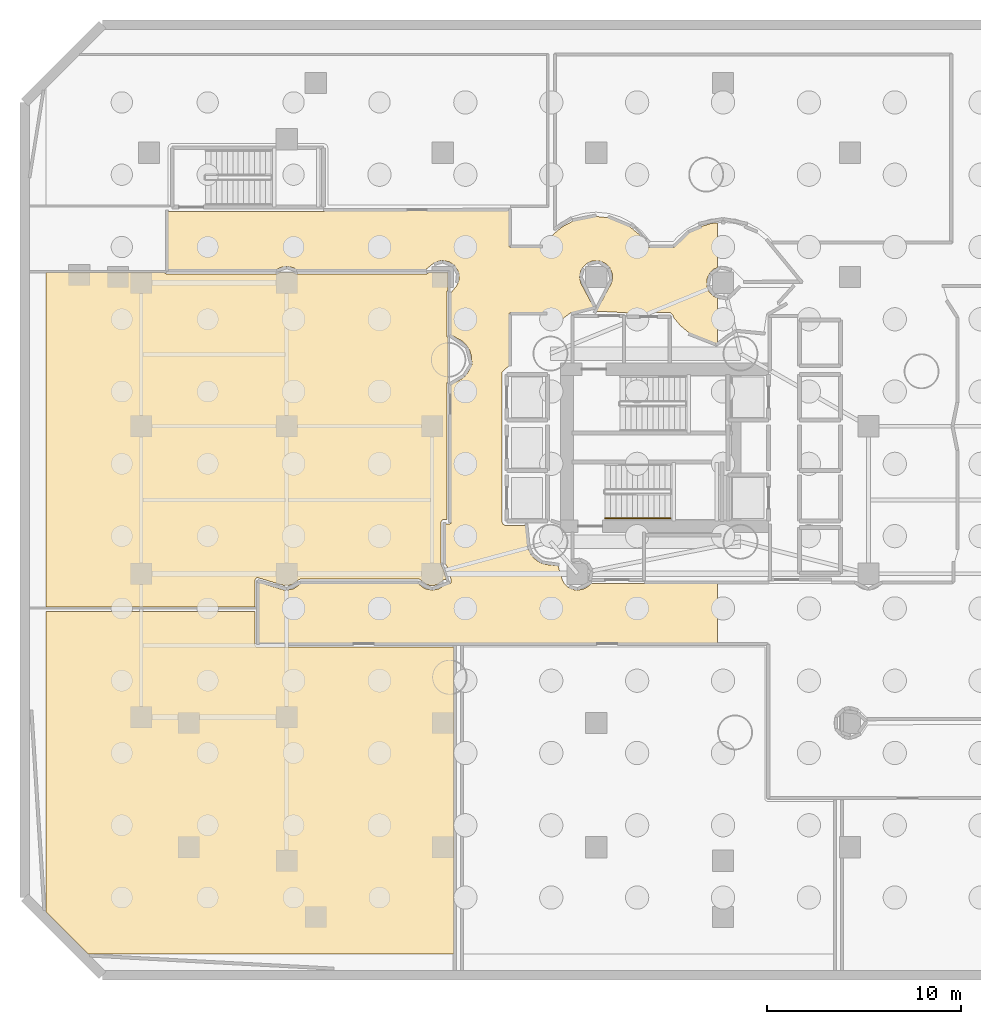
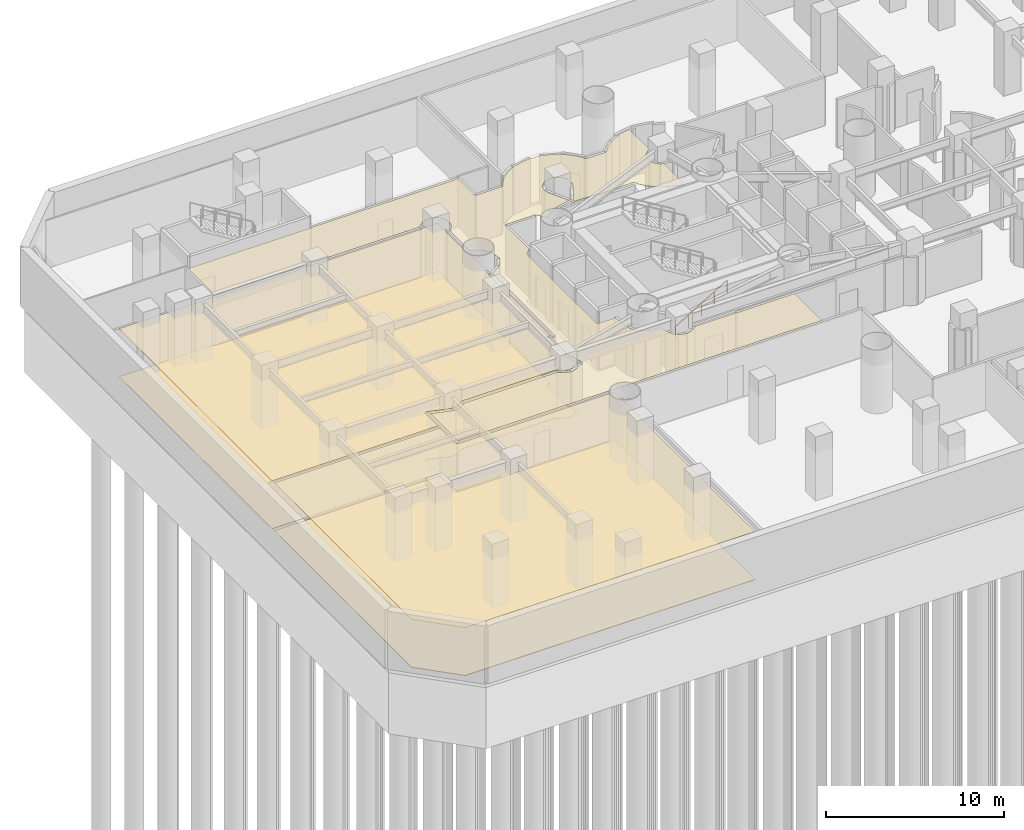
# One storey, part 8 of 13: 5 coverings, 1 railing.
"""IFC4 building model written with IfcOpenShell, lengths in metres."""

import ifcopenshell
import ifcopenshell.guid

model = None  # the IFC model being written
_history = None  # IfcOwnerHistory: only IFC2X3 demands one
_inside = {}  # id of a spatial element -> (the spatial element, [elements in it])
_under = {}  # id of a project, library or spatial element -> (it, [spatial elements below it])
_declared = {}  # id of a project -> (the project, [libraries it declares])
_typed = {}  # id of a type object -> (the type object, [elements of that type])
_made_of = {}  # id of a material, layer set ... -> (it, [elements and type objects made of it])


def new_model(schema):
    """Start an empty IFC model of exactly this schema.

    Asked for "IFC4X3", IfcOpenShell would pick the latest addendum, in which some entities
    have other attributes; the version numbers below select the first issue.
    IFC2X3 requires an IfcOwnerHistory on every rooted entity: one is made here for all.
    """
    global model, _history
    if schema == "IFC4X3":
        model = ifcopenshell.file(schema_version=(4, 3, 0, 0))
    else:
        model = ifcopenshell.file(schema=schema)
    _inside.clear()
    _under.clear()
    _declared.clear()
    _typed.clear()
    _made_of.clear()
    _history = None
    if model.schema == "IFC2X3":
        org = make("IfcOrganization", Name="unknown")
        user = make(
            "IfcPersonAndOrganization",
            ThePerson=make("IfcPerson", FamilyName="unknown"),
            TheOrganization=org,
        )
        app = make(
            "IfcApplication",
            ApplicationDeveloper=org,
            Version="unknown",
            ApplicationFullName="unknown",
            ApplicationIdentifier="unknown",
        )
        _history = make(
            "IfcOwnerHistory",
            OwningUser=user,
            OwningApplication=app,
            ChangeAction="ADDED",
            CreationDate=0,
        )
    return model


def make(cls, **values):
    """One entity of the class cls with the attributes given. An attribute that is None is left unset."""
    return model.create_entity(
        cls, **{name: value for name, value in values.items() if value is not None}
    )


def rooted(cls, **values):
    """An entity with a GlobalId (a new one), such as an element, a storey or a relation."""
    return make(cls, GlobalId=ifcopenshell.guid.new(), OwnerHistory=_history, **values)


def si_unit(unit_type, name, prefix=None):
    """IfcSIUnit, for example si_unit("LENGTHUNIT", "METRE", prefix="MILLI")."""
    return make("IfcSIUnit", UnitType=unit_type, Prefix=prefix, Name=name)


def assignment(units):
    """IfcUnitAssignment: the units of a project."""
    return None if units is None else make("IfcUnitAssignment", Units=units)


def point(xyz):
    """IfcCartesianPoint."""
    return None if xyz is None else make("IfcCartesianPoint", Coordinates=xyz)


def direction(xyz):
    """IfcDirection."""
    return None if xyz is None else make("IfcDirection", DirectionRatios=xyz)


def frame(location, z_axis=None, x_axis=None):
    """IfcAxis2Placement3D, a coordinate frame: its origin and axes. An axis left out is left unset."""
    return make(
        "IfcAxis2Placement3D",
        Location=point(location),
        Axis=direction(z_axis),
        RefDirection=direction(x_axis),
    )


def frame_2d(location, x_axis=None):
    """IfcAxis2Placement2D, a coordinate frame in the plane: its origin and x axis."""
    return make(
        "IfcAxis2Placement2D", Location=point(location), RefDirection=direction(x_axis)
    )


def origin():
    """The frame at (0, 0, 0) with its axes left unset."""
    return frame((0.0, 0.0, 0.0))


def origin_2d():
    """The frame at (0, 0) in the plane with its x axis left unset."""
    return frame_2d((0.0, 0.0))


def place(relative_to, where):
    """IfcLocalPlacement: puts the frame where relative to a parent placement (None: the world)."""
    return make(
        "IfcLocalPlacement", PlacementRelTo=relative_to, RelativePlacement=where
    )


def context(
    kind, dimensions, precision=None, world=None, true_north=None, identifier=None
):
    """IfcGeometricRepresentationContext, for example the 3D "Model" context."""
    return make(
        "IfcGeometricRepresentationContext",
        ContextIdentifier=identifier,
        ContextType=kind,
        CoordinateSpaceDimension=dimensions,
        Precision=precision,
        WorldCoordinateSystem=world,
        TrueNorth=true_north,
    )


def subcontext(parent, identifier, kind, view, scale=None):
    """IfcGeometricRepresentationSubContext, for example "Body" below "Model"."""
    return make(
        "IfcGeometricRepresentationSubContext",
        ContextIdentifier=identifier,
        ContextType=kind,
        ParentContext=parent,
        TargetScale=scale,
        TargetView=view,
    )


def project(units=None, contexts=None):
    """IfcProject with its units and contexts."""
    return rooted(
        "IfcProject",
        Name="project",
        RepresentationContexts=contexts,
        UnitsInContext=assignment(units),
    )


def spatial(cls, under=None, at=None, **own):
    """A site, building, storey or space (cls), placed at a placement, below another one or the project."""
    s = rooted(cls, ObjectPlacement=at, **own)
    if under is not None:
        _under.setdefault(under.id(), (under, []))[1].append(s)
    return s


def polyline(points):
    """IfcPolyline through the points."""
    return make("IfcPolyline", Points=[point(p) for p in points])


def profile(cls, at=None, kind="AREA", **sizes):
    """A parametric profile (cls). Its sizes go by their IFC names, for example OverallWidth=200.0."""
    return make(cls, ProfileType=kind, Position=at, **sizes)


def rectangle(**sizes):
    """IfcRectangleProfileDef."""
    return profile("IfcRectangleProfileDef", **sizes)


def outline(outer, holes=None, kind="AREA"):
    """IfcArbitraryClosedProfileDef: a profile drawn as a closed curve; with holes, ...WithVoids."""
    if holes is None:
        return make("IfcArbitraryClosedProfileDef", ProfileType=kind, OuterCurve=outer)
    return make(
        "IfcArbitraryProfileDefWithVoids",
        ProfileType=kind,
        OuterCurve=outer,
        InnerCurves=holes,
    )


def extrude(swept, where, along, depth):
    """IfcExtrudedAreaSolid: the profile swept, set in the frame where, extruded along a direction by depth."""
    return make(
        "IfcExtrudedAreaSolid",
        SweptArea=swept,
        Position=where,
        ExtrudedDirection=direction(along),
        Depth=depth,
    )


def shape(context_of_items, identifier, shape_type, items):
    """IfcShapeRepresentation: the items that make up one representation, for example the "Body"."""
    return make(
        "IfcShapeRepresentation",
        ContextOfItems=context_of_items,
        RepresentationIdentifier=identifier,
        RepresentationType=shape_type,
        Items=items,
    )


def material(Name=None, Category=None):
    """IfcMaterial."""
    return make("IfcMaterial", Name=Name, Category=Category)


def layer(
    of_material, thickness, ventilated=None, Name=None, Category=None, Priority=None
):
    """IfcMaterialLayer: one layer of a wall or slab, of a material (None: an air gap)."""
    return make(
        "IfcMaterialLayer",
        Material=of_material,
        LayerThickness=thickness,
        IsVentilated=ventilated,
        Name=Name,
        Category=Category,
        Priority=Priority,
    )


def layer_set(layers, Name=None):
    """IfcMaterialLayerSet."""
    return make("IfcMaterialLayerSet", MaterialLayers=layers, LayerSetName=Name)


def made_of(thing, what):
    """Note that an element or type object is made of a material, layer set ...; save() writes the relation."""
    if what is not None:
        _made_of.setdefault(what.id(), (what, []))[1].append(thing)
    return thing


def type_object(cls, material=None, **own):
    """A type object (cls), such as IfcWallType, which elements share."""
    return made_of(rooted(cls, **own), material)


def element(
    cls,
    number,
    at=None,
    inside=None,
    cuts=None,
    type_object=None,
    material=None,
    context=None,
    identifier="Body",
    shape_type=None,
    held_by="IfcProductDefinitionShape",
    body=None,
    shapes=None,
    **own,
):
    """One element of the class cls, such as IfcWall. Its Tag is "e" and its number.

    at: its placement. inside: the storey or other place that contains it. cuts: it is an
    opening in that element (IfcRelVoidsElement). A single representation is given by context,
    identifier, shape_type and body (its items); several are given by shapes. held_by: the class
    of the entity that holds the representations. save() writes the other relations.
    """
    e = rooted(cls, Tag="e%d" % number, ObjectPlacement=at, **own)
    if body is not None:
        shapes = [shape(context, identifier, shape_type, body)]
    if shapes is not None:
        e.Representation = make(held_by, Representations=shapes)
    if inside is not None:
        _inside.setdefault(inside.id(), (inside, []))[1].append(e)
    if cuts is not None:
        rooted(
            "IfcRelVoidsElement", RelatingBuildingElement=cuts, RelatedOpeningElement=e
        )
    if type_object is not None:
        _typed.setdefault(type_object.id(), (type_object, []))[1].append(e)
    return made_of(e, material)


def aggregate(whole, parts):
    """IfcRelAggregates: a whole, such as a stair, and the parts it consists of."""
    return rooted("IfcRelAggregates", RelatingObject=whole, RelatedObjects=parts)


def save(model, path):
    """Write the relations noted so far, then the file.

    IfcRelAggregates (storeys below a building ...), IfcRelContainedInSpatialStructure (elements
    in a storey), IfcRelDefinesByType, IfcRelAssociatesMaterial and IfcRelDeclares: one each for
    every whole, place, type object, material and project.
    """
    for whole, parts in _under.values():
        aggregate(whole, parts)
    for where, things in _inside.values():
        rooted(
            "IfcRelContainedInSpatialStructure",
            RelatedElements=things,
            RelatingStructure=where,
        )
    for kind, things in _typed.values():
        rooted("IfcRelDefinesByType", RelatedObjects=things, RelatingType=kind)
    for what, things in _made_of.values():
        rooted("IfcRelAssociatesMaterial", RelatedObjects=things, RelatingMaterial=what)
    for by, libraries in _declared.values():
        rooted("IfcRelDeclares", RelatingContext=by, RelatedDefinitions=libraries)
    model.write(path)


model = new_model("IFC4")

# Units and contexts
model_context = context("Model", 3, precision=1e-05, world=origin(), true_north=direction((0.0, 1.0)))
body_context = subcontext(model_context, "Body", "Model", "MODEL_VIEW")
ifc_project = project(units=[si_unit("LENGTHUNIT", "METRE"), si_unit("AREAUNIT", "SQUARE_METRE"), si_unit("VOLUMEUNIT", "CUBIC_METRE"), si_unit("PLANEANGLEUNIT", "RADIAN"), si_unit("MASSUNIT", "GRAM", prefix="KILO")], contexts=[model_context])

# Site, building, storey
site_placement = place(None, origin())
site = spatial("IfcSite", under=ifc_project, at=site_placement, CompositionType="ELEMENT")
building_placement = place(site_placement, origin())
building = spatial("IfcBuilding", under=site, at=building_placement, Name="Qianvela Tower", CompositionType="ELEMENT")
storey_placement = place(building_placement, frame((0.0, 0.0, -10.0)))
storey = spatial("IfcBuildingStorey", under=building, at=storey_placement, Name="B02", CompositionType="ELEMENT", Elevation=-10.0)

# Coverings
ifc_material_1 = material(Name="Perforated Mineral Acoustic Ceiling Tile")
ifc_layer_1 = layer(ifc_material_1, 0.02490234375)
ifc_layer_set_1 = layer_set([ifc_layer_1], Name="Perforated Mineral Acoustic Ceiling Tile")
covering_type_1 = type_object("IfcCoveringType", Name="COV-CEIL-ACOUSTIC-25", PredefinedType="CEILING", material=ifc_layer_set_1)
covering_1_placement = place(storey_placement, frame((0.0, 0.0, 3.294921875)))
element("IfcCovering", 1, at=covering_1_placement, inside=storey, type_object=covering_type_1, Name="B02 Acoustic Ceiling Bay 1 B02 Plant and Bicycle Corridor", PredefinedType="CEILING", context=body_context, shape_type="SweptSolid", body=[
    extrude(outline(polyline([(8.8798828125, 40.8798828125), (16.89990234375, 40.8798828125), (16.908935546875, 40.880615234375), (16.917724609375, 40.882080078125), (17.085205078125, 40.919921875), (26.469970703125, 40.919921875), (26.469970703125, 39.10009765625), (26.470458984375, 39.09228515625), (26.471435546875, 39.08447265625), (26.473388671875, 39.076904296875), (26.47607421875, 39.0693359375), (26.4794921875, 39.062255859375), (26.4833984375, 39.0556640625), (26.48828125, 39.04931640625), (26.493408203125, 39.04345703125), (26.499267578125, 39.0380859375), (26.505615234375, 39.033447265625), (26.51220703125, 39.029296875), (26.519287109375, 39.026123046875), (26.52685546875, 39.0234375), (26.534423828125, 39.021484375), (26.542236328125, 39.0205078125), (26.550048828125, 39.02001953125), (28.19970703125, 39.02001953125), (28.20751953125, 39.0205078125), (28.21533203125, 39.021484375), (28.222900390625, 39.0234375), (28.230224609375, 39.026123046875), (28.2373046875, 39.029296875), (28.244140625, 39.033447265625), (28.25048828125, 39.0380859375), (28.256103515625, 39.04345703125), (28.261474609375, 39.04931640625), (28.26611328125, 39.0556640625), (28.270263671875, 39.062255859375), (28.361572265625, 39.233154296875), (28.74951171875, 39.705810546875), (29.22216796875, 40.093994140625), (29.76171875, 40.382080078125), (30.3466796875, 40.559814453125), (30.955322265625, 40.61962890625), (31.56396484375, 40.559814453125), (32.149169921875, 40.382080078125), (32.688720703125, 40.093994140625), (33.161376953125, 39.705810546875), (33.54931640625, 39.233154296875), (33.640625, 39.062255859375), (33.64453125, 39.0556640625), (33.6494140625, 39.04931640625), (33.654541015625, 39.04345703125), (33.660400390625, 39.0380859375), (33.666748046875, 39.033447265625), (33.67333984375, 39.029296875), (33.680419921875, 39.026123046875), (33.68798828125, 39.0234375), (33.695556640625, 39.021484375), (33.703369140625, 39.0205078125), (33.711181640625, 39.02001953125), (34.939697265625, 39.02001953125), (34.947509765625, 39.0205078125), (34.955078125, 39.021484375), (34.962890625, 39.0234375), (34.97021484375, 39.026123046875), (34.977294921875, 39.029296875), (34.98388671875, 39.033447265625), (34.990234375, 39.0380859375), (34.99609375, 39.04345703125), (35.00146484375, 39.04931640625), (35.294189453125, 39.406005859375), (35.766845703125, 39.7939453125), (36.30615234375, 40.08203125), (36.891357421875, 40.259765625), (37.21533203125, 40.29150390625), (37.21533203125, 37.986083984375), (37.04150390625, 37.9140625), (37.034423828125, 37.910888671875), (37.02783203125, 37.90673828125), (37.021484375, 37.902099609375), (37.015625, 37.896728515625), (36.80322265625, 37.684326171875), (36.7978515625, 37.678466796875), (36.793212890625, 37.672119140625), (36.789306640625, 37.66552734375), (36.785888671875, 37.658447265625), (36.6708984375, 37.380859375), (36.668212890625, 37.373291015625), (36.666259765625, 37.36572265625), (36.665283203125, 37.358154296875), (36.664794921875, 37.35009765625), (36.664794921875, 37.0498046875), (36.665283203125, 37.0419921875), (36.666259765625, 37.0341796875), (36.668212890625, 37.026611328125), (36.6708984375, 37.019287109375), (36.785888671875, 36.74169921875), (36.789306640625, 36.734619140625), (36.793212890625, 36.727783203125), (36.7978515625, 36.721435546875), (36.80322265625, 36.715576171875), (37.015625, 36.503173828125), (37.021484375, 36.497802734375), (37.02783203125, 36.493408203125), (37.034423828125, 36.4892578125), (37.04150390625, 36.48583984375), (37.21533203125, 36.413818359375), (37.21533203125, 34.123046875), (37.143310546875, 34.06396484375), (36.30615234375, 34.31787109375), (35.766845703125, 34.606201171875), (35.294189453125, 34.994140625), (34.957763671875, 35.40380859375), (34.906494140625, 35.542236328125), (34.9033203125, 35.5498046875), (34.8994140625, 35.556884765625), (34.894775390625, 35.5634765625), (34.889404296875, 35.569580078125), (34.883544921875, 35.5751953125), (34.806884765625, 35.640869140625), (34.800537109375, 35.645751953125), (34.793701171875, 35.64990234375), (34.786376953125, 35.653564453125), (34.77880859375, 35.65625), (34.77099609375, 35.658447265625), (34.762939453125, 35.65966796875), (34.7548828125, 35.659912109375), (33.49951171875, 35.659912109375), (33.49169921875, 35.65966796875), (33.48388671875, 35.658447265625), (33.476318359375, 35.656494140625), (33.46875, 35.65380859375), (33.461669921875, 35.650634765625), (33.455078125, 35.646484375), (33.44873046875, 35.641845703125), (33.44287109375, 35.63671875), (33.4375, 35.630859375), (33.430419921875, 35.6220703125), (32.5966796875, 35.6220703125), (32.4453125, 35.659423828125), (32.437744140625, 35.660888671875), (32.429931640625, 35.66162109375), (30.970703125, 35.7333984375), (31.7373046875, 37.16748046875), (31.74072265625, 37.1748046875), (31.743408203125, 37.18212890625), (31.787109375, 37.32666015625), (31.7890625, 37.334228515625), (31.790283203125, 37.341796875), (31.79052734375, 37.349853515625), (31.79052734375, 37.650146484375), (31.790283203125, 37.658203125), (31.7890625, 37.665771484375), (31.787109375, 37.67333984375), (31.784423828125, 37.680908203125), (31.66943359375, 37.95849609375), (31.666259765625, 37.965576171875), (31.662109375, 37.97216796875), (31.657470703125, 37.978515625), (31.652099609375, 37.984375), (31.439697265625, 38.19677734375), (31.433837890625, 38.2021484375), (31.427490234375, 38.206787109375), (31.4208984375, 38.210693359375), (31.413818359375, 38.214111328125), (31.13623046875, 38.3291015625), (31.12890625, 38.331787109375), (31.12109375, 38.333740234375), (31.113525390625, 38.334716796875), (31.105712890625, 38.335205078125), (30.80517578125, 38.335205078125), (30.79736328125, 38.334716796875), (30.78955078125, 38.333740234375), (30.781982421875, 38.331787109375), (30.774658203125, 38.3291015625), (30.4970703125, 38.214111328125), (30.489990234375, 38.210693359375), (30.483154296875, 38.206787109375), (30.476806640625, 38.2021484375), (30.470947265625, 38.19677734375), (30.258544921875, 37.984375), (30.25341796875, 37.978515625), (30.248779296875, 37.97216796875), (30.24462890625, 37.965576171875), (30.173583984375, 37.83251953125), (30.170166015625, 37.8251953125), (30.16748046875, 37.81787109375), (30.16552734375, 37.810302734375), (30.10693359375, 37.515625), (30.105712890625, 37.5078125), (30.10546875, 37.5), (30.105712890625, 37.4921875), (30.10693359375, 37.484375), (30.16552734375, 37.189697265625), (30.16748046875, 37.18212890625), (30.170166015625, 37.1748046875), (30.173583984375, 37.16748046875), (30.8251953125, 35.947998046875), (29.65673828125, 35.65478515625), (29.6494140625, 35.652587890625), (29.64208984375, 35.649658203125), (29.63525390625, 35.64599609375), (29.628662109375, 35.6416015625), (28.90380859375, 35.10595703125), (28.47314453125, 35.630859375), (28.468017578125, 35.63671875), (28.462158203125, 35.641845703125), (28.455810546875, 35.646484375), (28.44921875, 35.650634765625), (28.44189453125, 35.65380859375), (28.4345703125, 35.656494140625), (28.427001953125, 35.658447265625), (28.419189453125, 35.65966796875), (28.411376953125, 35.659912109375), (26.550048828125, 35.659912109375), (26.542236328125, 35.65966796875), (26.534423828125, 35.658447265625), (26.52685546875, 35.656494140625), (26.519287109375, 35.65380859375), (26.51220703125, 35.650634765625), (26.505615234375, 35.646484375), (26.499267578125, 35.641845703125), (26.493408203125, 35.63671875), (26.48828125, 35.630859375), (26.4833984375, 35.62451171875), (26.4794921875, 35.61767578125), (26.47607421875, 35.610595703125), (26.473388671875, 35.603271484375), (26.471435546875, 35.595703125), (26.470458984375, 35.587890625), (26.469970703125, 35.580078125), (26.469970703125, 32.93212890625), (26.12548828125, 32.6123046875), (26.119873046875, 32.6064453125), (26.11474609375, 32.60009765625), (26.1103515625, 32.593017578125), (26.106689453125, 32.585693359375), (26.103759765625, 32.577880859375), (26.101806640625, 32.570068359375), (26.100341796875, 32.56201171875), (26.10009765625, 32.5537109375), (26.102783203125, 24.872802734375), (26.10302734375, 24.86474609375), (26.104248046875, 24.857177734375), (26.106201171875, 24.849609375), (26.10888671875, 24.842041015625), (26.112060546875, 24.8349609375), (26.150390625, 24.76318359375), (26.15478515625, 24.756103515625), (26.159912109375, 24.749267578125), (26.165771484375, 24.7431640625), (26.17236328125, 24.737548828125), (26.17919921875, 24.732666015625), (26.186767578125, 24.728759765625), (26.272216796875, 24.6884765625), (26.2802734375, 24.68505859375), (26.288818359375, 24.6826171875), (26.29736328125, 24.68115234375), (26.30615234375, 24.6806640625), (27.31787109375, 24.679931640625), (27.421875, 23.623779296875), (27.423095703125, 23.615966796875), (27.425048828125, 23.6083984375), (27.48876953125, 23.398193359375), (27.4912109375, 23.390869140625), (27.49462890625, 23.3837890625), (27.59814453125, 23.18994140625), (27.602294921875, 23.183349609375), (27.60693359375, 23.177001953125), (27.74609375, 23.00732421875), (27.75146484375, 23.00146484375), (27.75732421875, 22.99609375), (27.927001953125, 22.85693359375), (27.933349609375, 22.852294921875), (27.93994140625, 22.84814453125), (28.1337890625, 22.74462890625), (28.140869140625, 22.7412109375), (28.148193359375, 22.73876953125), (28.3583984375, 22.675048828125), (28.365966796875, 22.673095703125), (28.373779296875, 22.671875), (28.990966796875, 22.611083984375), (29.212158203125, 21.882080078125), (29.214599609375, 21.874755859375), (29.218017578125, 21.86767578125), (29.289306640625, 21.734619140625), (29.293212890625, 21.727783203125), (29.2978515625, 21.721435546875), (29.30322265625, 21.715576171875), (29.515625, 21.503173828125), (29.521484375, 21.497802734375), (29.52783203125, 21.493408203125), (29.534423828125, 21.4892578125), (29.54150390625, 21.48583984375), (29.819091796875, 21.370849609375), (29.82666015625, 21.3681640625), (29.834228515625, 21.3662109375), (29.841796875, 21.365234375), (29.9921875, 21.350341796875), (30.0, 21.35009765625), (30.0078125, 21.350341796875), (30.015625, 21.3515625), (30.310302734375, 21.41015625), (30.31787109375, 21.412109375), (30.3251953125, 21.414794921875), (30.33251953125, 21.418212890625), (30.465576171875, 21.4892578125), (30.47216796875, 21.493408203125), (30.478515625, 21.497802734375), (30.724853515625, 21.699951171875), (37.21533203125, 21.699951171875), (37.21533203125, 18.6298828125), (13.580078125, 18.6298828125), (13.580078125, 21.746337890625), (14.82666015625, 21.3681640625), (14.834228515625, 21.3662109375), (14.841796875, 21.365234375), (14.9921875, 21.350341796875), (15.0, 21.35009765625), (15.0078125, 21.350341796875), (15.015625, 21.3515625), (15.310302734375, 21.41015625), (15.31787109375, 21.412109375), (15.3251953125, 21.414794921875), (15.33251953125, 21.418212890625), (15.465576171875, 21.4892578125), (15.47216796875, 21.493408203125), (15.478515625, 21.497802734375), (15.71533203125, 21.6923828125), (21.775390625, 21.699951171875), (22.021484375, 21.497802734375), (22.02783203125, 21.493408203125), (22.034423828125, 21.4892578125), (22.16748046875, 21.418212890625), (22.1748046875, 21.414794921875), (22.18212890625, 21.412109375), (22.189697265625, 21.41015625), (22.484375, 21.3515625), (22.4921875, 21.350341796875), (22.5, 21.35009765625), (22.5078125, 21.350341796875), (22.515625, 21.3515625), (22.810302734375, 21.41015625), (22.81787109375, 21.412109375), (22.8251953125, 21.414794921875), (22.83251953125, 21.418212890625), (22.965576171875, 21.4892578125), (22.97216796875, 21.493408203125), (22.978515625, 21.497802734375), (23.218017578125, 21.694580078125), (23.40234375, 21.699951171875), (23.41015625, 21.70068359375), (23.417724609375, 21.701904296875), (23.425048828125, 21.7041015625), (23.432373046875, 21.706787109375), (23.439208984375, 21.710205078125), (23.44580078125, 21.71435546875), (23.451904296875, 21.718994140625), (23.45751953125, 21.724365234375), (23.46240234375, 21.72998046875), (23.467041015625, 21.736328125), (23.470947265625, 21.742919921875), (23.47412109375, 21.75), (23.476806640625, 21.757080078125), (23.478515625, 21.7646484375), (23.4794921875, 21.772216796875), (23.47998046875, 21.780029296875), (23.47998046875, 21.872802734375), (23.4794921875, 21.880615234375), (23.478515625, 21.888427734375), (23.4765625, 21.89599609375), (23.287841796875, 22.517822265625), (23.285400390625, 22.525390625), (23.281982421875, 22.532470703125), (23.179931640625, 22.72314453125), (23.179931640625, 24.77001953125), (23.39990234375, 24.77001953125), (23.40771484375, 24.7705078125), (23.41552734375, 24.771484375), (23.423095703125, 24.7734375), (23.4306640625, 24.776123046875), (23.437744140625, 24.779296875), (23.4443359375, 24.783447265625), (23.45068359375, 24.7880859375), (23.45654296875, 24.79345703125), (23.4619140625, 24.79931640625), (23.466552734375, 24.8056640625), (23.470703125, 24.812255859375), (23.473876953125, 24.8193359375), (23.4765625, 24.826904296875), (23.478515625, 24.83447265625), (23.4794921875, 24.84228515625), (23.47998046875, 24.85009765625), (23.47998046875, 31.949462890625), (23.998046875, 32.226318359375), (24.004638671875, 32.230224609375), (24.010986328125, 32.23486328125), (24.1806640625, 32.374267578125), (24.1865234375, 32.37939453125), (24.19189453125, 32.38525390625), (24.3310546875, 32.554931640625), (24.335693359375, 32.561279296875), (24.33984375, 32.568115234375), (24.55078125, 32.963134765625), (24.55419921875, 32.97021484375), (24.556884765625, 32.9775390625), (24.558837890625, 32.985107421875), (24.56005859375, 32.992919921875), (24.560302734375, 33.000732421875), (24.56005859375, 33.008544921875), (24.51611328125, 33.454345703125), (24.514892578125, 33.462158203125), (24.512939453125, 33.4697265625), (24.44921875, 33.6796875), (24.44677734375, 33.687255859375), (24.443359375, 33.6943359375), (24.33984375, 33.887939453125), (24.335693359375, 33.894775390625), (24.3310546875, 33.90087890625), (24.19189453125, 34.07080078125), (24.1865234375, 34.076416015625), (24.1806640625, 34.081787109375), (24.010986328125, 34.22119140625), (24.004638671875, 34.225830078125), (23.998046875, 34.229736328125), (23.47998046875, 34.506591796875), (23.47998046875, 36.696533203125), (23.74658203125, 37.021484375), (23.751220703125, 37.02783203125), (23.75537109375, 37.034423828125), (23.826416015625, 37.16748046875), (23.829833984375, 37.1748046875), (23.83251953125, 37.18212890625), (23.87646484375, 37.32666015625), (23.87841796875, 37.334228515625), (23.87939453125, 37.341796875), (23.8798828125, 37.349853515625), (23.8798828125, 37.650146484375), (23.87939453125, 37.658203125), (23.87841796875, 37.665771484375), (23.87646484375, 37.67333984375), (23.83251953125, 37.81787109375), (23.829833984375, 37.8251953125), (23.826416015625, 37.83251953125), (23.822509765625, 37.839111328125), (23.655517578125, 38.0888671875), (23.65087890625, 38.09521484375), (23.6455078125, 38.10107421875), (23.639892578125, 38.106201171875), (23.633544921875, 38.111083984375), (23.3837890625, 38.27783203125), (23.376953125, 38.281982421875), (23.369873046875, 38.285400390625), (23.362548828125, 38.287841796875), (23.35498046875, 38.289794921875), (23.060302734375, 38.348388671875), (23.052490234375, 38.349609375), (23.044677734375, 38.35009765625), (23.036865234375, 38.349609375), (22.886474609375, 38.334716796875), (22.87890625, 38.333740234375), (22.87109375, 38.331787109375), (22.86376953125, 38.3291015625), (22.586181640625, 38.214111328125), (22.5791015625, 38.210693359375), (22.572509765625, 38.206787109375), (22.566162109375, 38.2021484375), (22.173583984375, 37.8798828125), (15.523193359375, 37.8798828125), (15.33251953125, 37.98193359375), (15.3251953125, 37.9853515625), (15.31787109375, 37.98779296875), (15.310302734375, 37.989990234375), (15.015625, 38.048583984375), (15.0078125, 38.049560546875), (15.0, 38.050048828125), (14.9921875, 38.049560546875), (14.984375, 38.048583984375), (14.689697265625, 37.989990234375), (14.68212890625, 37.98779296875), (14.6748046875, 37.9853515625), (14.66748046875, 37.98193359375), (14.476806640625, 37.8798828125), (8.8798828125, 37.8798828125), (8.8798828125, 40.8798828125)])), origin(), (0.0, 0.0, 1.0), 0.025146484375),
])
covering_2_placement = place(storey_placement, frame((0.0, 0.0, 3.294921875)))
element("IfcCovering", 2, at=covering_2_placement, inside=storey, type_object=covering_type_1, Name="B02 Acoustic Ceiling B02 Bicycle Storage West", PredefinedType="CEILING", context=body_context, shape_type="SweptSolid", body=[
    extrude(outline(polyline([(23.320068359375, 36.84619140625), (23.2705078125, 36.76806640625), (23.2666015625, 36.761474609375), (23.263671875, 36.754638671875), (23.26123046875, 36.74755859375), (23.259521484375, 36.739990234375), (23.25830078125, 36.732666015625), (23.258056640625, 36.72509765625), (23.258056640625, 34.458740234375), (23.25830078125, 34.450439453125), (23.259765625, 34.4423828125), (23.26171875, 34.434326171875), (23.2646484375, 34.426513671875), (23.268310546875, 34.419189453125), (23.27294921875, 34.412353515625), (23.278076171875, 34.40576171875), (23.320068359375, 34.358154296875), (23.320068359375, 32.097900390625), (23.278076171875, 32.05029296875), (23.27294921875, 32.043701171875), (23.268310546875, 32.036865234375), (23.2646484375, 32.029296875), (23.26171875, 32.021728515625), (23.259765625, 32.013671875), (23.25830078125, 32.005615234375), (23.258056640625, 31.997314453125), (23.258056640625, 24.99169921875), (23.08740234375, 24.99072265625), (23.07958984375, 24.990478515625), (23.072021484375, 24.9892578125), (23.064453125, 24.9873046875), (23.05712890625, 24.984619140625), (23.050048828125, 24.981201171875), (23.04345703125, 24.977294921875), (23.037109375, 24.97265625), (23.03125, 24.96728515625), (23.026123046875, 24.961669921875), (22.976318359375, 24.90087890625), (22.971435546875, 24.894287109375), (22.96728515625, 24.8876953125), (22.964111328125, 24.880615234375), (22.96142578125, 24.873291015625), (22.95947265625, 24.865478515625), (22.95849609375, 24.85791015625), (22.9580078125, 24.85009765625), (22.958251953125, 22.697021484375), (22.958740234375, 22.689453125), (22.959716796875, 22.681884765625), (22.96142578125, 22.674560546875), (22.9638671875, 22.66748046875), (22.967041015625, 22.66064453125), (23.0791015625, 22.441162109375), (23.23291015625, 21.91455078125), (23.15966796875, 21.910400390625), (23.152099609375, 21.90966796875), (23.14453125, 21.908203125), (23.13720703125, 21.906005859375), (23.130126953125, 21.903076171875), (23.123291015625, 21.899658203125), (23.116943359375, 21.8955078125), (22.74072265625, 21.622802734375), (22.5, 21.57470703125), (22.2587890625, 21.622802734375), (21.856201171875, 21.906982421875), (21.84912109375, 21.911376953125), (21.841796875, 21.9150390625), (21.833984375, 21.91796875), (21.826171875, 21.919921875), (21.818115234375, 21.921142578125), (21.809814453125, 21.921630859375), (15.6865234375, 21.914306640625), (15.678466796875, 21.913818359375), (15.67041015625, 21.91259765625), (15.66259765625, 21.91064453125), (15.655029296875, 21.90771484375), (15.64794921875, 21.904296875), (15.64111328125, 21.89990234375), (15.24169921875, 21.622802734375), (14.992919921875, 21.573486328125), (14.87744140625, 21.584716796875), (13.516845703125, 21.99267578125), (13.5087890625, 21.994384765625), (13.500732421875, 21.99560546875), (13.49267578125, 21.995849609375), (13.484619140625, 21.995361328125), (13.476318359375, 21.993896484375), (13.468505859375, 21.99169921875), (13.4609375, 21.98876953125), (13.45361328125, 21.985107421875), (13.44677734375, 21.980712890625), (13.4404296875, 21.975341796875), (13.4345703125, 21.9697265625), (13.378662109375, 21.907958984375), (13.3740234375, 21.90234375), (13.369873046875, 21.896240234375), (13.3662109375, 21.889892578125), (13.36328125, 21.883056640625), (13.361083984375, 21.876220703125), (13.359375, 21.868896484375), (13.3583984375, 21.861572265625), (13.35791015625, 21.854248046875), (13.35791015625, 20.47998046875), (2.580078125, 20.47998046875), (2.580078125, 37.719970703125), (8.704833984375, 37.719970703125), (8.743408203125, 37.681396484375), (8.749267578125, 37.67626953125), (8.755615234375, 37.67138671875), (8.76220703125, 37.66748046875), (8.769287109375, 37.6640625), (8.77685546875, 37.661376953125), (8.784423828125, 37.659423828125), (8.792236328125, 37.658447265625), (8.800048828125, 37.657958984375), (14.496826171875, 37.657958984375), (14.505615234375, 37.658447265625), (14.514404296875, 37.659912109375), (14.52294921875, 37.662353515625), (14.531005859375, 37.66552734375), (14.646484375, 37.719970703125), (15.353515625, 37.719970703125), (15.468994140625, 37.66552734375), (15.47705078125, 37.662353515625), (15.485595703125, 37.659912109375), (15.494384765625, 37.658447265625), (15.503173828125, 37.657958984375), (22.2021484375, 37.657958984375), (22.209716796875, 37.658447265625), (22.21728515625, 37.659423828125), (22.224609375, 37.6611328125), (22.231689453125, 37.66357421875), (22.238525390625, 37.666748046875), (22.2451171875, 37.67041015625), (22.3232421875, 37.719970703125), (23.320068359375, 37.719970703125), (23.320068359375, 36.84619140625)])), origin(), (0.0, 0.0, 1.0), 0.025146484375),
])
covering_3_placement = place(storey_placement, frame((0.0, 0.0, 3.294921875)))
element("IfcCovering", 3, at=covering_3_placement, inside=storey, type_object=covering_type_1, Name="B02 Acoustic Ceiling B02 Fire and Domestic Water Tank Room", PredefinedType="CEILING", context=body_context, shape_type="SweptSolid", body=[
    extrude(outline(polyline([(23.6201171875, 2.580078125), (4.78759765625, 2.580078125), (2.580078125, 4.78759765625), (2.580078125, 20.258056640625), (13.35791015625, 20.258056640625), (13.35791015625, 18.550048828125), (13.3583984375, 18.542236328125), (13.359619140625, 18.534423828125), (13.361328125, 18.52685546875), (13.364013671875, 18.519287109375), (13.367431640625, 18.51220703125), (13.37158203125, 18.505615234375), (13.376220703125, 18.499267578125), (13.426025390625, 18.4384765625), (13.431396484375, 18.4326171875), (13.437255859375, 18.427490234375), (13.443603515625, 18.422607421875), (13.4501953125, 18.418701171875), (13.457275390625, 18.415283203125), (13.464599609375, 18.41259765625), (13.472412109375, 18.41064453125), (13.47998046875, 18.40966796875), (13.48779296875, 18.4091796875), (23.6201171875, 18.407958984375), (23.6201171875, 2.580078125)])), origin(), (0.0, 0.0, 1.0), 0.025146484375),
])
ifc_material_2 = material(Name="Honed Stone Terrazzo Flooring", Category="masonry")
ifc_layer_2 = layer(ifc_material_2, 0.030029296875)
ifc_layer_set_2 = layer_set([ifc_layer_2], Name="Honed Stone Terrazzo Flooring")
covering_type_2 = type_object("IfcCoveringType", Name="COV-FLOOR-TERRAZZO-30", PredefinedType="FLOORING", material=ifc_layer_set_2)
covering_4_placement = place(storey_placement, origin())
element("IfcCovering", 4, at=covering_4_placement, inside=storey, type_object=covering_type_2, Name="B02 Finish Flooring B02 Bicycle Storage West", PredefinedType="FLOORING", context=body_context, shape_type="SweptSolid", body=[
    extrude(outline(polyline([(23.320068359375, 36.84619140625), (23.2705078125, 36.76806640625), (23.2666015625, 36.761474609375), (23.263671875, 36.754638671875), (23.26123046875, 36.74755859375), (23.259521484375, 36.739990234375), (23.25830078125, 36.732666015625), (23.258056640625, 36.72509765625), (23.258056640625, 34.458740234375), (23.25830078125, 34.450439453125), (23.259765625, 34.4423828125), (23.26171875, 34.434326171875), (23.2646484375, 34.426513671875), (23.268310546875, 34.419189453125), (23.27294921875, 34.412353515625), (23.278076171875, 34.40576171875), (23.320068359375, 34.358154296875), (23.320068359375, 32.097900390625), (23.278076171875, 32.05029296875), (23.27294921875, 32.043701171875), (23.268310546875, 32.036865234375), (23.2646484375, 32.029296875), (23.26171875, 32.021728515625), (23.259765625, 32.013671875), (23.25830078125, 32.005615234375), (23.258056640625, 31.997314453125), (23.258056640625, 24.99169921875), (23.08740234375, 24.99072265625), (23.07958984375, 24.990478515625), (23.072021484375, 24.9892578125), (23.064453125, 24.9873046875), (23.05712890625, 24.984619140625), (23.050048828125, 24.981201171875), (23.04345703125, 24.977294921875), (23.037109375, 24.97265625), (23.03125, 24.96728515625), (23.026123046875, 24.961669921875), (22.976318359375, 24.90087890625), (22.971435546875, 24.894287109375), (22.96728515625, 24.8876953125), (22.964111328125, 24.880615234375), (22.96142578125, 24.873291015625), (22.95947265625, 24.865478515625), (22.95849609375, 24.85791015625), (22.9580078125, 24.85009765625), (22.958251953125, 22.697021484375), (22.958740234375, 22.689453125), (22.959716796875, 22.681884765625), (22.96142578125, 22.674560546875), (22.9638671875, 22.66748046875), (22.967041015625, 22.66064453125), (23.0791015625, 22.441162109375), (23.23291015625, 21.91455078125), (23.15966796875, 21.910400390625), (23.152099609375, 21.90966796875), (23.14453125, 21.908203125), (23.13720703125, 21.906005859375), (23.130126953125, 21.903076171875), (23.123291015625, 21.899658203125), (23.116943359375, 21.8955078125), (22.74072265625, 21.622802734375), (22.5, 21.57470703125), (22.2587890625, 21.622802734375), (21.856201171875, 21.906982421875), (21.84912109375, 21.911376953125), (21.841796875, 21.9150390625), (21.833984375, 21.91796875), (21.826171875, 21.919921875), (21.818115234375, 21.921142578125), (21.809814453125, 21.921630859375), (15.6865234375, 21.914306640625), (15.678466796875, 21.913818359375), (15.67041015625, 21.91259765625), (15.66259765625, 21.91064453125), (15.655029296875, 21.90771484375), (15.64794921875, 21.904296875), (15.64111328125, 21.89990234375), (15.24169921875, 21.622802734375), (14.992919921875, 21.573486328125), (14.87744140625, 21.584716796875), (13.516845703125, 21.99267578125), (13.5087890625, 21.994384765625), (13.500732421875, 21.99560546875), (13.49267578125, 21.995849609375), (13.484619140625, 21.995361328125), (13.476318359375, 21.993896484375), (13.468505859375, 21.99169921875), (13.4609375, 21.98876953125), (13.45361328125, 21.985107421875), (13.44677734375, 21.980712890625), (13.4404296875, 21.975341796875), (13.4345703125, 21.9697265625), (13.378662109375, 21.907958984375), (13.3740234375, 21.90234375), (13.369873046875, 21.896240234375), (13.3662109375, 21.889892578125), (13.36328125, 21.883056640625), (13.361083984375, 21.876220703125), (13.359375, 21.868896484375), (13.3583984375, 21.861572265625), (13.35791015625, 21.854248046875), (13.35791015625, 20.47998046875), (2.580078125, 20.47998046875), (2.580078125, 37.719970703125), (8.704833984375, 37.719970703125), (8.743408203125, 37.681396484375), (8.749267578125, 37.67626953125), (8.755615234375, 37.67138671875), (8.76220703125, 37.66748046875), (8.769287109375, 37.6640625), (8.77685546875, 37.661376953125), (8.784423828125, 37.659423828125), (8.792236328125, 37.658447265625), (8.800048828125, 37.657958984375), (14.496826171875, 37.657958984375), (14.505615234375, 37.658447265625), (14.514404296875, 37.659912109375), (14.52294921875, 37.662353515625), (14.531005859375, 37.66552734375), (14.646484375, 37.719970703125), (15.353515625, 37.719970703125), (15.468994140625, 37.66552734375), (15.47705078125, 37.662353515625), (15.485595703125, 37.659912109375), (15.494384765625, 37.658447265625), (15.503173828125, 37.657958984375), (22.2021484375, 37.657958984375), (22.209716796875, 37.658447265625), (22.21728515625, 37.659423828125), (22.224609375, 37.6611328125), (22.231689453125, 37.66357421875), (22.238525390625, 37.666748046875), (22.2451171875, 37.67041015625), (22.3232421875, 37.719970703125), (23.320068359375, 37.719970703125), (23.320068359375, 36.84619140625)])), origin(), (0.0, 0.0, 1.0), 0.030029296875),
])
covering_5_placement = place(storey_placement, origin())
element("IfcCovering", 5, at=covering_5_placement, inside=storey, type_object=covering_type_2, Name="B02 Finish Flooring B02 Fire and Domestic Water Tank Room", PredefinedType="FLOORING", context=body_context, shape_type="SweptSolid", body=[
    extrude(outline(polyline([(23.6201171875, 2.580078125), (4.78759765625, 2.580078125), (2.580078125, 4.78759765625), (2.580078125, 20.258056640625), (13.35791015625, 20.258056640625), (13.35791015625, 18.550048828125), (13.3583984375, 18.542236328125), (13.359619140625, 18.534423828125), (13.361328125, 18.52685546875), (13.364013671875, 18.519287109375), (13.367431640625, 18.51220703125), (13.37158203125, 18.505615234375), (13.376220703125, 18.499267578125), (13.426025390625, 18.4384765625), (13.431396484375, 18.4326171875), (13.437255859375, 18.427490234375), (13.443603515625, 18.422607421875), (13.4501953125, 18.418701171875), (13.457275390625, 18.415283203125), (13.464599609375, 18.41259765625), (13.472412109375, 18.41064453125), (13.47998046875, 18.40966796875), (13.48779296875, 18.4091796875), (23.6201171875, 18.407958984375), (23.6201171875, 2.580078125)])), origin(), (0.0, 0.0, 1.0), 0.030029296875),
])

# Railing
ifc_material_3 = material(Name="Brushed Stainless Steel 304", Category="steel")
railing_type = type_object("IfcRailingType", Name="RL-STAIR-HANDRAIL-900", PredefinedType="HANDRAIL", material=ifc_material_3)
railing_placement = place(storey_placement, frame((31.419921875, 25.050048828125, 0.169189453125)))
element("IfcRailing", 6, at=railing_placement, inside=storey, type_object=railing_type, Name="B02 ST-2 stair handrail 1", PredefinedType="HANDRAIL", context=body_context, shape_type="SweptSolid", body=[
    extrude(rectangle(XDim=0.050048828125, YDim=0.0400390625, at=origin_2d()), frame((0.0, 0.0, 0.8798828125), z_axis=(0.855836976705, 0.0, 0.517245656632), x_axis=(0.0, 1.0, 0.0)), (0.0, 0.0, 1.0), 3.926025390625),
    extrude(rectangle(XDim=0.050048828125, YDim=0.050048828125, at=origin_2d()), origin(), (0.0, 0.0, 1.0), 0.85986328125),
    extrude(rectangle(XDim=0.050048828125, YDim=0.050048828125, at=origin_2d()), frame((0.840087890625, 0.0, 0.5078125)), (0.0, 0.0, 1.0), 0.85986328125),
    extrude(rectangle(XDim=0.050048828125, YDim=0.050048828125, at=origin_2d()), frame((1.68017578125, 0.0, 1.015380859375)), (0.0, 0.0, 1.0), 0.85986328125),
    extrude(rectangle(XDim=0.050048828125, YDim=0.050048828125, at=origin_2d()), frame((2.52001953125, 0.0, 1.52294921875)), (0.0, 0.0, 1.0), 0.85986328125),
    extrude(rectangle(XDim=0.050048828125, YDim=0.050048828125, at=origin_2d()), frame((3.360107421875, 0.0, 2.03076171875)), (0.0, 0.0, 1.0), 0.85986328125),
])

save(model, "model.ifc")
